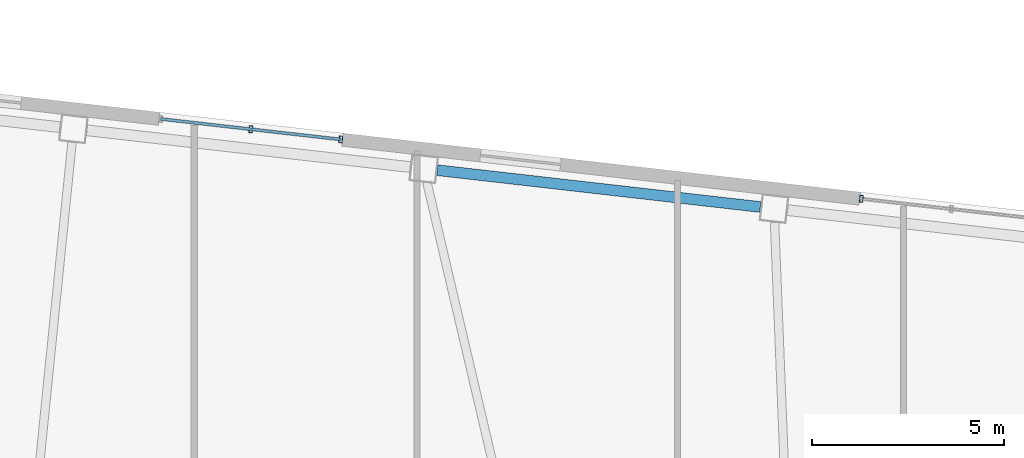
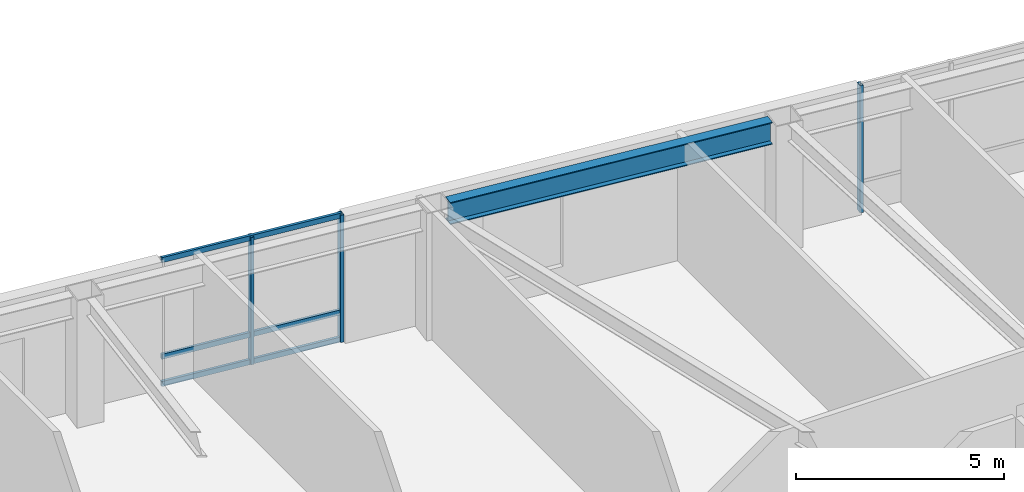
# One storey, part 8 of 21: 6 members, 1 beam, 2 elements without a shape of their own.
"""IFC4 building model written with IfcOpenShell, lengths in metres."""

from ifc_helpers import new_model, si_unit, direction, frame, origin, origin_2d, place, context, subcontext, project, spatial, hollow_rectangle, i_section, extrude, material, layer, layer_set, material_profile, profile_set, type_object, element, aggregate, save


model = new_model("IFC4")

# Units and contexts
model_context = context("Model", 3, precision=1e-05, world=origin(), true_north=direction((0.0, 1.0)))
body_context = subcontext(model_context, "Body", "Model", "MODEL_VIEW")
ifc_project = project(units=[si_unit("LENGTHUNIT", "METRE"), si_unit("AREAUNIT", "SQUARE_METRE"), si_unit("VOLUMEUNIT", "CUBIC_METRE"), si_unit("PLANEANGLEUNIT", "RADIAN"), si_unit("MASSUNIT", "GRAM", prefix="KILO")], contexts=[model_context])

# Site, building, storey
site_placement = place(None, origin())
site = spatial("IfcSite", under=ifc_project, at=site_placement, CompositionType="ELEMENT")
building_placement = place(site_placement, origin())
building = spatial("IfcBuilding", under=site, at=building_placement, Name="Tavrogorsk Clinical Tower", CompositionType="ELEMENT")
storey_placement = place(building_placement, frame((0.0, 0.0, 137.39990234375)))
storey = spatial("IfcBuildingStorey", under=building, at=storey_placement, Name="L31", CompositionType="ELEMENT", Elevation=137.39990234375)

# Curtain wall, members
ifc_material_1 = material(Name="Anodised aluminium and triple IGU glazing", Category="aluminium")
ifc_layer = layer(ifc_material_1, 0.179931640625)
ifc_layer_set = layer_set([ifc_layer], Name="Anodised aluminium and triple IGU glazing")
curtain_wall_type = type_object("IfcCurtainWallType", Name="CW2_NorthSlot", PredefinedType="NOTDEFINED", material=ifc_layer_set)
curtain_wall_1_placement = place(storey_placement, origin())
curtain_wall_1 = element("IfcCurtainWall", 1, at=curtain_wall_1_placement, inside=storey, type_object=curtain_wall_type, Name="L31 Curtain Wall CW-L31-N-SLOT-1", PredefinedType="NOTDEFINED")
ifc_material_2 = material(Name="Anodised aluminium alloy AW-6060", Category="aluminium")
ifc_material_profile_1 = material_profile(ifc_material_2, hollow_rectangle(XDim=0.090087890625, YDim=0.179931640625, WallThickness=0.00634765625, at=origin_2d()), Name="RHS-180x90x6.3")
ifc_profile_set_1 = profile_set([ifc_material_profile_1], Name="Anodised aluminium alloy AW-6060")
member_type_1 = type_object("IfcMemberType", Name="CwMullion_180x90", PredefinedType="MULLION", material=ifc_profile_set_1)
member_1_placement = place(storey_placement, frame((-1.586181640625, 23.443603515625, 0.0), z_axis=(0.0, 0.0, 1.0), x_axis=(-0.993571858269, 0.113203191016, 0.0)))
member_1 = element("IfcMember", 2, at=member_1_placement, type_object=member_type_1, Name="CW-L31-N-SLOT-1 Mullion 1", PredefinedType="MULLION", context=body_context, shape_type="SweptSolid", body=[
    extrude(hollow_rectangle(XDim=0.090087890625, YDim=0.179931640625, WallThickness=0.00634765625, at=origin_2d()), origin(), (0.0, 0.0, 1.0), 3.739990234375),
])
member_2_placement = place(storey_placement, frame((-3.929931640625, 23.71044921875, 0.0), z_axis=(0.0, 0.0, 1.0), x_axis=(-0.993571858269, 0.113203191016, 0.0)))
member_2 = element("IfcMember", 3, at=member_2_placement, type_object=member_type_1, Name="CW-L31-N-SLOT-1 Mullion 2", PredefinedType="MULLION", context=body_context, shape_type="SweptSolid", body=[
    extrude(hollow_rectangle(XDim=0.090087890625, YDim=0.179931640625, WallThickness=0.00634765625, at=origin_2d()), origin(), (0.0, 0.0, 1.0), 3.739990234375),
])

# Curtain wall, member
curtain_wall_2_placement = place(storey_placement, origin())
curtain_wall_2 = element("IfcCurtainWall", 4, at=curtain_wall_2_placement, inside=storey, type_object=curtain_wall_type, Name="L31 Curtain Wall CW-L31-N-SLOT-2", PredefinedType="NOTDEFINED")
member_3_placement = place(storey_placement, frame((11.962646484375, 21.89990234375, 0.0), z_axis=(0.0, 0.0, 1.0), x_axis=(-0.993571855603, 0.11320321441, 0.0)))
member_3 = element("IfcMember", 5, at=member_3_placement, type_object=member_type_1, Name="CW-L31-N-SLOT-2 Mullion 3", PredefinedType="MULLION", context=body_context, shape_type="SweptSolid", body=[
    extrude(hollow_rectangle(XDim=0.090087890625, YDim=0.179931640625, WallThickness=0.00634765625, at=origin_2d()), origin(), (0.0, 0.0, 1.0), 3.739990234375),
])
aggregate(curtain_wall_2, [member_3])

# Member
ifc_material_3 = material(Name="Anodised aluminium alloy AW-6060", Category="aluminium")
ifc_material_profile_2 = material_profile(ifc_material_3, hollow_rectangle(XDim=0.074951171875, YDim=0.14990234375, WallThickness=0.0048828125, at=origin_2d()), Name="RHS-150x75x5")
ifc_profile_set_2 = profile_set([ifc_material_profile_2], Name="Anodised aluminium alloy AW-6060")
member_type_2 = type_object("IfcMemberType", Name="CwTransom_150x75", PredefinedType="USERDEFINED", material=ifc_profile_set_2)
member_4_placement = place(storey_placement, frame((-1.586181640625, 23.443603515625, 0.050048828125), z_axis=(-0.993575136134, 0.11317441785, 0.0), x_axis=(-0.11317441785, -0.993575136134, 0.0)))
member_4 = element("IfcMember", 6, at=member_4_placement, type_object=member_type_2, Name="CW-L31-N-SLOT-1 Transom 1", ObjectType="TRANSOM", PredefinedType="USERDEFINED", context=body_context, shape_type="SweptSolid", body=[
    extrude(hollow_rectangle(XDim=0.074951171875, YDim=0.14990234375, WallThickness=0.0048828125, at=origin_2d()), origin(), (0.0, 0.0, 1.0), 4.7177734375),
])

member_5_placement = place(storey_placement, frame((-1.586181640625, 23.443603515625, 0.85009765625), z_axis=(-0.993575136134, 0.11317441785, 0.0), x_axis=(-0.11317441785, -0.993575136134, 0.0)))
member_5 = element("IfcMember", 7, at=member_5_placement, type_object=member_type_2, Name="CW-L31-N-SLOT-1 Transom 2", ObjectType="TRANSOM", PredefinedType="USERDEFINED", context=body_context, shape_type="SweptSolid", body=[
    extrude(hollow_rectangle(XDim=0.074951171875, YDim=0.14990234375, WallThickness=0.0048828125, at=origin_2d()), origin(), (0.0, 0.0, 1.0), 4.7177734375),
])

member_6_placement = place(storey_placement, frame((-1.586181640625, 23.443603515625, 3.690185546875), z_axis=(-0.993575136134, 0.11317441785, 0.0), x_axis=(-0.11317441785, -0.993575136134, 0.0)))
member_6 = element("IfcMember", 8, at=member_6_placement, type_object=member_type_2, Name="CW-L31-N-SLOT-1 Transom 3", ObjectType="TRANSOM", PredefinedType="USERDEFINED", context=body_context, shape_type="SweptSolid", body=[
    extrude(hollow_rectangle(XDim=0.074951171875, YDim=0.14990234375, WallThickness=0.0048828125, at=origin_2d()), origin(), (0.0, 0.0, 1.0), 4.7177734375),
])

aggregate(curtain_wall_1, [member_1, member_2, member_4, member_5, member_6])

# Beam
ifc_material_4 = material(Name="Structural steel S390", Category="steel")
ifc_material_profile_3 = material_profile(ifc_material_4, i_section(OverallWidth=0.280029296875, OverallDepth=0.64990234375, WebThickness=0.01611328125, FlangeThickness=0.02490234375, at=origin_2d()), Name="B-650x280x16x25")
ifc_profile_set_3 = profile_set([ifc_material_profile_3], Name="Structural steel S390")
beam_type = type_object("IfcBeamType", Name="SpandrelBeam_B650", PredefinedType="SPANDREL", material=ifc_profile_set_3)
beam_placement = place(storey_placement, frame((9.333984375, 21.68603515625, 3.4150390625), z_axis=(-0.99357306506, 0.113192598642, 0.0), x_axis=(-0.113192598642, -0.99357306506, 0.0)))
element("IfcBeam", 9, at=beam_placement, inside=storey, type_object=beam_type, Name="L31 Perimeter Spandrel N4-N5", PredefinedType="SPANDREL", context=body_context, shape_type="SweptSolid", body=[
    extrude(i_section(OverallWidth=0.280029296875, OverallDepth=0.64990234375, WebThickness=0.01611328125, FlangeThickness=0.02490234375, at=origin_2d()), origin(), (0.0, 0.0, 1.0), 8.46142578125),
])

save(model, "model.ifc")
